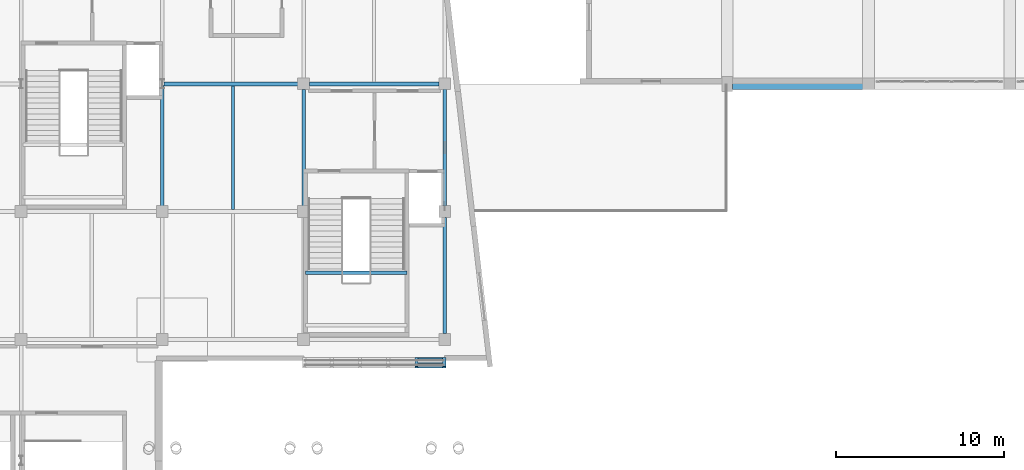
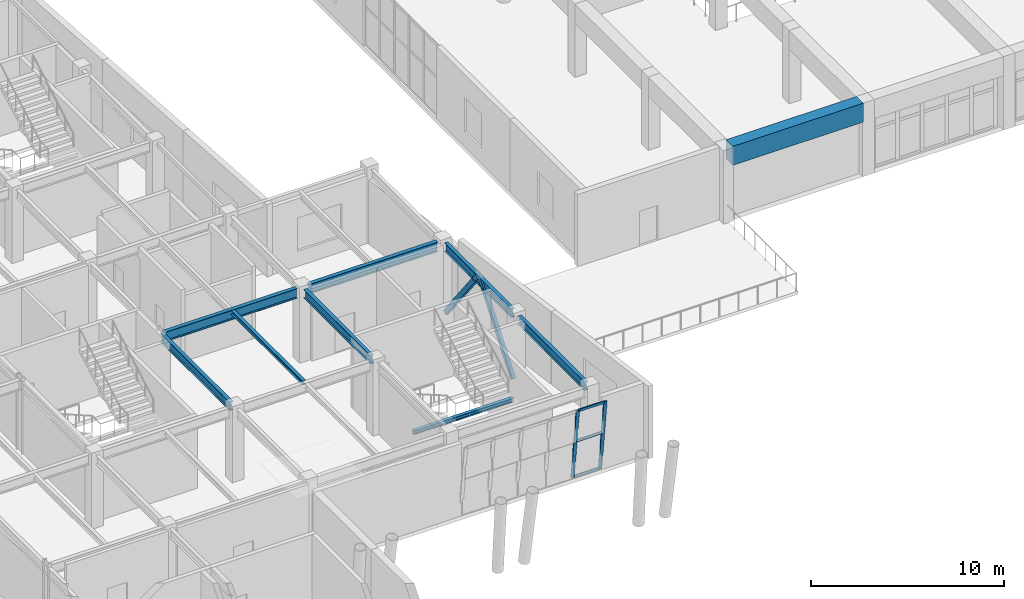
# One storey, part 10 of 72: 9 beams, 7 members, 1 element without a shape of its own.
"""IFC4 building model written with IfcOpenShell, lengths in metres."""

from ifc_helpers import new_model, si_unit, direction, frame, origin, origin_2d, place, context, subcontext, project, spatial, rectangle, hollow_rectangle, i_section, extrude, material, layer, layer_set, material_profile, profile_set, type_object, element, aggregate, save


model = new_model("IFC4")

# Units and contexts
model_context = context("Model", 3, precision=1e-05, world=origin(), true_north=direction((0.0, 1.0)))
body_context = subcontext(model_context, "Body", "Model", "MODEL_VIEW")
ifc_project = project(units=[si_unit("LENGTHUNIT", "METRE"), si_unit("AREAUNIT", "SQUARE_METRE"), si_unit("VOLUMEUNIT", "CUBIC_METRE"), si_unit("PLANEANGLEUNIT", "RADIAN"), si_unit("MASSUNIT", "GRAM", prefix="KILO")], contexts=[model_context])

# Site, building, storey
site_placement = place(None, origin())
site = spatial("IfcSite", under=ifc_project, at=site_placement, CompositionType="ELEMENT")
building_placement = place(site_placement, origin())
building = spatial("IfcBuilding", under=site, at=building_placement, Name="Xicomal Pleat Aquarium", CompositionType="ELEMENT")
storey_placement = place(building_placement, frame((0.0, 0.0, 10.5)))
storey = spatial("IfcBuildingStorey", under=building, at=storey_placement, Name="L03", CompositionType="ELEMENT", Elevation=10.5)

# Beams
ifc_material_1 = material(Name="Concrete C45/55", Category="concrete")
ifc_material_profile_1 = material_profile(ifc_material_1, rectangle(XDim=0.699951171875, YDim=1.199951171875, at=origin_2d()), Name="RC 700x1200")
ifc_profile_set_1 = profile_set([ifc_material_profile_1], Name="Concrete C45/55")
beam_type_1 = type_object("IfcBeamType", Name="BM-RC-700x1200", PredefinedType="SPANDREL", material=ifc_profile_set_1)
beam_1_placement = place(storey_placement, frame((52.5, 30.39990234375, 4.034912109375), z_axis=(1.0, 0.0, 0.0), x_axis=(0.0, 1.0, 0.0)))
element("IfcBeam", 1, at=beam_1_placement, inside=storey, type_object=beam_type_1, Name="Ocean hall shell edge girder 07-08/E", PredefinedType="SPANDREL", context=body_context, shape_type="SweptSolid", body=[
    extrude(rectangle(XDim=0.699951171875, YDim=1.199951171875, at=origin_2d()), origin(), (0.0, 0.0, 1.0), 7.800048828125),
])
ifc_material_2 = material(Name="Structural steel A992 Gr 50", Category="steel")
ifc_material_profile_2 = material_profile(ifc_material_2, i_section(OverallWidth=0.201904296875, OverallDepth=0.2470703125, WebThickness=0.00732421875, FlangeThickness=0.010986328125, at=origin_2d()), Name="IR 250x49")
ifc_profile_set_2 = profile_set([ifc_material_profile_2], Name="Structural steel A992 Gr 50")
beam_type_2 = type_object("IfcBeamType", Name="BM-STL-IR250", PredefinedType="JOIST", material=ifc_profile_set_2)
beam_2_placement = place(storey_placement, frame((22.800048828125, 22.91796875, 4.451416015625), z_axis=(0.0, 1.0, 0.0), x_axis=(-1.0, 0.0, 0.0)))
element("IfcBeam", 2, at=beam_2_placement, inside=storey, type_object=beam_type_2, Name="L03 framing beam FBJ-L03-03-D-1", PredefinedType="JOIST", context=body_context, shape_type="SweptSolid", body=[
    extrude(i_section(OverallWidth=0.201904296875, OverallDepth=0.2470703125, WebThickness=0.00732421875, FlangeThickness=0.010986328125, at=origin_2d()), origin(), (0.0, 0.0, 1.0), 7.364013671875),
])
beam_3_placement = place(storey_placement, frame((27.1201171875, 19.174072265625, 2.0791015625), z_axis=(1.0, 0.0, 0.0), x_axis=(0.0, 1.0, 0.0)))
element("IfcBeam", 3, at=beam_3_placement, inside=storey, type_object=beam_type_2, Name="ST-02-L03 half-landing bearer beam 2", PredefinedType="JOIST", context=body_context, shape_type="SweptSolid", body=[
    extrude(i_section(OverallWidth=0.201904296875, OverallDepth=0.2470703125, WebThickness=0.00732421875, FlangeThickness=0.010986328125, at=origin_2d()), origin(), (0.0, 0.0, 1.0), 6.019775390625),
])
ifc_material_3 = material(Name="Structural steel A992 Gr 50", Category="steel")
ifc_material_profile_3 = material_profile(ifc_material_3, i_section(OverallWidth=0.2119140625, OverallDepth=0.5439453125, WebThickness=0.01318359375, FlangeThickness=0.021240234375, at=origin_2d()), Name="IR 530x123")
ifc_profile_set_3 = profile_set([ifc_material_profile_3], Name="Structural steel A992 Gr 50")
beam_type_3 = type_object("IfcBeamType", Name="BM-STL-IR530", PredefinedType="BEAM", material=ifc_profile_set_3)
beam_4_placement = place(storey_placement, frame((18.60009765625, 23.14501953125, 4.302978515625), z_axis=(0.0, 1.0, 0.0), x_axis=(-1.0, 0.0, 0.0)))
element("IfcBeam", 4, at=beam_4_placement, inside=storey, type_object=beam_type_3, Name="L03 framing beam FGY-L03-03-D-E", PredefinedType="BEAM", context=body_context, shape_type="SweptSolid", body=[
    extrude(i_section(OverallWidth=0.2119140625, OverallDepth=0.5439453125, WebThickness=0.01318359375, FlangeThickness=0.021240234375, at=origin_2d()), origin(), (0.0, 0.0, 1.0), 7.154052734375),
])
beam_5_placement = place(storey_placement, frame((27.0, 23.14501953125, 4.302978515625), z_axis=(0.0, 1.0, 0.0), x_axis=(-1.0, 0.0, 0.0)))
element("IfcBeam", 5, at=beam_5_placement, inside=storey, type_object=beam_type_3, Name="L03 framing beam FGY-L03-04-D-E", PredefinedType="BEAM", context=body_context, shape_type="SweptSolid", body=[
    extrude(i_section(OverallWidth=0.2119140625, OverallDepth=0.5439453125, WebThickness=0.01318359375, FlangeThickness=0.021240234375, at=origin_2d()), origin(), (0.0, 0.0, 1.0), 6.909912109375),
])
beam_6_placement = place(storey_placement, frame((35.39990234375, 15.544921875, 4.302978515625), z_axis=(0.0, 1.0, 0.0), x_axis=(-1.0, 0.0, 0.0)))
element("IfcBeam", 6, at=beam_6_placement, inside=storey, type_object=beam_type_3, Name="L03 framing beam FGY-L03-05-C-D", PredefinedType="BEAM", context=body_context, shape_type="SweptSolid", body=[
    extrude(i_section(OverallWidth=0.2119140625, OverallDepth=0.5439453125, WebThickness=0.01318359375, FlangeThickness=0.021240234375, at=origin_2d()), origin(), (0.0, 0.0, 1.0), 6.91015625),
])
beam_7_placement = place(storey_placement, frame((35.39990234375, 23.14501953125, 4.302978515625), z_axis=(0.0, 1.0, 0.0), x_axis=(-1.0, 0.0, 0.0)))
element("IfcBeam", 7, at=beam_7_placement, inside=storey, type_object=beam_type_3, Name="L03 framing beam FGY-L03-05-D-E", PredefinedType="BEAM", context=body_context, shape_type="SweptSolid", body=[
    extrude(i_section(OverallWidth=0.2119140625, OverallDepth=0.5439453125, WebThickness=0.01318359375, FlangeThickness=0.021240234375, at=origin_2d()), origin(), (0.0, 0.0, 1.0), 6.909912109375),
])
ifc_material_4 = material(Name="Structural steel A992 Gr 50", Category="steel")
ifc_material_profile_4 = material_profile(ifc_material_4, i_section(OverallWidth=0.22998046875, OverallDepth=0.616943359375, WebThickness=0.01318359375, FlangeThickness=0.022216796875, at=origin_2d()), Name="IR 610x140")
ifc_profile_set_4 = profile_set([ifc_material_profile_4], Name="Structural steel A992 Gr 50")
beam_type_4 = type_object("IfcBeamType", Name="BM-STL-IR610", PredefinedType="BEAM", material=ifc_profile_set_4)
beam_8_placement = place(storey_placement, frame((18.700927734375, 30.39990234375, 4.2666015625), z_axis=(1.0, 0.0, 0.0), x_axis=(0.0, 1.0, 0.0)))
element("IfcBeam", 8, at=beam_8_placement, inside=storey, type_object=beam_type_4, Name="L03 framing beam FGX-L03-03-04-E", PredefinedType="BEAM", context=body_context, shape_type="SweptSolid", body=[
    extrude(i_section(OverallWidth=0.22998046875, OverallDepth=0.616943359375, WebThickness=0.01318359375, FlangeThickness=0.022216796875, at=origin_2d()), origin(), (0.0, 0.0, 1.0), 7.9541015625),
])
beam_9_placement = place(storey_placement, frame((27.344970703125, 30.39990234375, 4.2666015625), z_axis=(1.0, 0.0, 0.0), x_axis=(0.0, 1.0, 0.0)))
element("IfcBeam", 9, at=beam_9_placement, inside=storey, type_object=beam_type_4, Name="L03 framing beam FGX-L03-04-05-E", PredefinedType="BEAM", context=body_context, shape_type="SweptSolid", body=[
    extrude(i_section(OverallWidth=0.22998046875, OverallDepth=0.616943359375, WebThickness=0.01318359375, FlangeThickness=0.022216796875, at=origin_2d()), origin(), (0.0, 0.0, 1.0), 7.7099609375),
])

# Curtain wall, members
ifc_material_5 = material(Name="Bronze anodized aluminium 6063-T6", Category="aluminium")
ifc_layer = layer(ifc_material_5, 0.159912109375)
ifc_layer_set = layer_set([ifc_layer], Name="Bronze anodized aluminium 6063-T6")
curtain_wall_type = type_object("IfcCurtainWallType", Name="CW-SYS-08", PredefinedType="NOTDEFINED", material=ifc_layer_set)
curtain_wall_placement = place(storey_placement, origin())
curtain_wall = element("IfcCurtainWall", 10, at=curtain_wall_placement, inside=storey, type_object=curtain_wall_type, Name="L03 unitised curtain wall CW-L03-169", PredefinedType="NOTDEFINED")
ifc_material_6 = material(Name="Bronze anodized aluminium 6063-T6", Category="aluminium")
ifc_material_profile_5 = material_profile(ifc_material_6, hollow_rectangle(XDim=0.074951171875, YDim=0.199951171875, WallThickness=0.00439453125, at=origin_2d()), Name="ALU MULL 75x200")
ifc_profile_set_5 = profile_set([ifc_material_profile_5], Name="Bronze anodized aluminium 6063-T6")
member_type_1 = type_object("IfcMemberType", Name="CWM-75x200", PredefinedType="MULLION", material=ifc_profile_set_5)
member_1_placement = place(storey_placement, frame((35.362548828125, 14.090087890625, 0.0), z_axis=(0.0, -0.118430589417, 0.992962333369), x_axis=(0.0, -0.992962333369, -0.118430589417)))
member_1 = element("IfcMember", 11, at=member_1_placement, type_object=member_type_1, Name="CW-08 mullion 1", PredefinedType="MULLION", context=body_context, shape_type="SweptSolid", body=[
    extrude(hollow_rectangle(XDim=0.074951171875, YDim=0.199951171875, WallThickness=0.00439453125, at=origin_2d()), origin(), (0.0, 0.0, 1.0), 4.607421875),
])
member_2_placement = place(storey_placement, frame((33.719970703125, 14.090087890625, 0.0), z_axis=(0.0, -0.118430589417, 0.992962333369), x_axis=(0.0, -0.992962333369, -0.118430589417)))
member_2 = element("IfcMember", 12, at=member_2_placement, type_object=member_type_1, Name="CW-08 mullion 2", PredefinedType="MULLION", context=body_context, shape_type="SweptSolid", body=[
    extrude(hollow_rectangle(XDim=0.074951171875, YDim=0.199951171875, WallThickness=0.00439453125, at=origin_2d()), origin(), (0.0, 0.0, 1.0), 4.607421875),
])
ifc_material_7 = material(Name="Bronze anodized aluminium 6063-T6", Category="aluminium")
ifc_material_profile_6 = material_profile(ifc_material_7, hollow_rectangle(XDim=0.074951171875, YDim=0.14990234375, WallThickness=0.00439453125, at=origin_2d()), Name="ALU TRAN 75x150")
ifc_profile_set_6 = profile_set([ifc_material_profile_6], Name="Bronze anodized aluminium 6063-T6")
member_type_2 = type_object("IfcMemberType", Name="CWT-75x150", PredefinedType="USERDEFINED", material=ifc_profile_set_6)
member_3_placement = place(storey_placement, frame((35.324951171875, 14.08544921875, 0.03759765625), z_axis=(-1.0, 0.0, 0.0), x_axis=(0.0, -1.0, 0.0)))
member_3 = element("IfcMember", 13, at=member_3_placement, type_object=member_type_2, Name="CW-08 transom 1.1", ObjectType="TRANSOM", PredefinedType="USERDEFINED", context=body_context, shape_type="SweptSolid", body=[
    extrude(hollow_rectangle(XDim=0.074951171875, YDim=0.14990234375, WallThickness=0.00439453125, at=origin_2d()), origin(), (0.0, 0.0, 1.0), 1.5673828125),
])
member_4_placement = place(storey_placement, frame((35.324951171875, 13.79541015625, 2.469970703125), z_axis=(-1.0, 0.0, 0.0), x_axis=(0.0, -1.0, 0.0)))
member_4 = element("IfcMember", 14, at=member_4_placement, type_object=member_type_2, Name="CW-08 transom 1.2", ObjectType="TRANSOM", PredefinedType="USERDEFINED", context=body_context, shape_type="SweptSolid", body=[
    extrude(hollow_rectangle(XDim=0.074951171875, YDim=0.14990234375, WallThickness=0.00439453125, at=origin_2d()), origin(), (0.0, 0.0, 1.0), 1.5673828125),
])
member_5_placement = place(storey_placement, frame((35.324951171875, 13.549072265625, 4.53759765625), z_axis=(-1.0, 0.0, 0.0), x_axis=(0.0, -1.0, 0.0)))
member_5 = element("IfcMember", 15, at=member_5_placement, type_object=member_type_2, Name="CW-08 transom 1.3", ObjectType="TRANSOM", PredefinedType="USERDEFINED", context=body_context, shape_type="SweptSolid", body=[
    extrude(hollow_rectangle(XDim=0.074951171875, YDim=0.14990234375, WallThickness=0.00439453125, at=origin_2d()), origin(), (0.0, 0.0, 1.0), 1.5673828125),
])
aggregate(curtain_wall, [member_1, member_2, member_3, member_4, member_5])

# Members
ifc_material_8 = material(Name="Structural steel A500 Gr C", Category="steel")
ifc_material_profile_7 = material_profile(ifc_material_8, hollow_rectangle(XDim=0.199951171875, YDim=0.300048828125, WallThickness=0.011962890625, at=origin_2d()), Name="OR 300x200x12")
ifc_profile_set_7 = profile_set([ifc_material_profile_7], Name="Structural steel A500 Gr C")
member_type_3 = type_object("IfcMemberType", Name="MEM-BR-OR300", PredefinedType="BRACE", material=ifc_profile_set_7)
for number, where, z_axis, x_axis, name in (
    (16, (35.39990234375, 23.1298828125, 0.14990234375), (0.0, 0.611136654047, 0.791525103885), (-1.0, 0.0, 0.0), "L03 chevron brace 14A"),
    (17, (35.39990234375, 30.070068359375, 0.14990234375), (0.0, -0.611136654047, 0.791525103885), (1.0, 0.0, 0.0), "L03 chevron brace 14B"),
):
    element("IfcMember", number, at=place(storey_placement, frame(where, z_axis=z_axis, x_axis=x_axis)), inside=storey, type_object=member_type_3, Name=name, PredefinedType="BRACE", context=body_context, shape_type="SweptSolid", body=[
        extrude(hollow_rectangle(XDim=0.199951171875, YDim=0.300048828125, WallThickness=0.011962890625, at=origin_2d()), origin(), (0.0, 0.0, 1.0), 5.4326171875),
    ])

save(model, "model.ifc")
